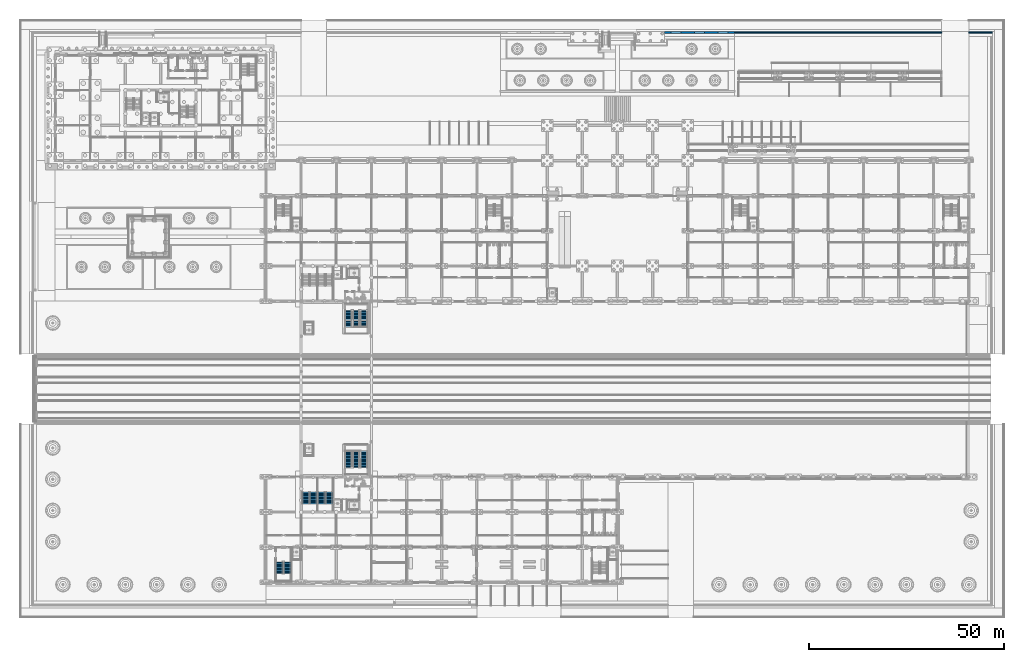
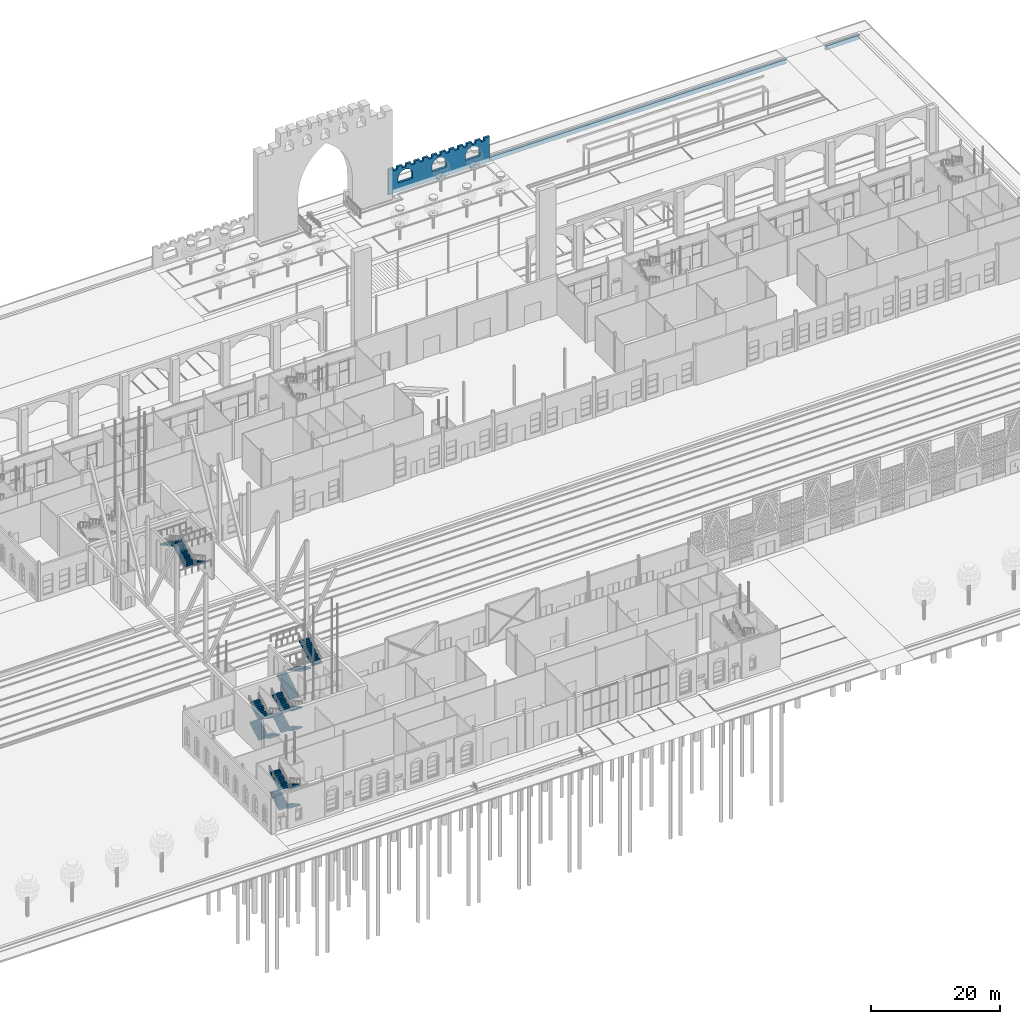
# One storey, part 139 of 250: 18 stair flights, 3 walls, 5 elements without a shape of their own.
"""IFC4 building model written with IfcOpenShell, lengths in metres."""

from ifc_helpers import new_model, si_unit, direction, frame, frame_2d, origin, place, context, subcontext, project, spatial, polyline, rectangle, outline, extrude, material, layer, layer_set, type_object, element, aggregate, save


model = new_model("IFC4")

# Units and contexts
model_context = context("Model", 3, precision=1e-05, world=origin(), true_north=direction((0.0, 1.0)))
body_context = subcontext(model_context, "Body", "Model", "MODEL_VIEW")
ifc_project = project(units=[si_unit("LENGTHUNIT", "METRE"), si_unit("AREAUNIT", "SQUARE_METRE"), si_unit("VOLUMEUNIT", "CUBIC_METRE"), si_unit("PLANEANGLEUNIT", "RADIAN"), si_unit("MASSUNIT", "GRAM", prefix="KILO")], contexts=[model_context])

# Site, building, storey
site_placement = place(None, origin())
site = spatial("IfcSite", under=ifc_project, at=site_placement, CompositionType="ELEMENT")
building_placement = place(site_placement, origin())
building = spatial("IfcBuilding", under=site, at=building_placement, Name="Baradari Gate Terminus", CompositionType="ELEMENT")
storey_placement = place(building_placement, origin())
storey = spatial("IfcBuildingStorey", under=building, at=storey_placement, Name="L00", CompositionType="ELEMENT", Elevation=0.0)

# Walls
ifc_material_1 = material(Name="Sandstone masonry", Category="masonry")
ifc_layer_1 = layer(ifc_material_1, 0.39990234375)
ifc_layer_set_1 = layer_set([ifc_layer_1], Name="Sandstone masonry")
wall_type_1 = type_object("IfcWallType", Name="Plinth retaining wall KW-1 400", PredefinedType="SOLIDWALL", material=ifc_layer_set_1)
wall_1_placement = place(storey_placement, frame((183.0, 149.800048828125, -0.800048828125), z_axis=(0.0, 0.0, 1.0), x_axis=(1.0, 0.0, 0.0)))
element("IfcWall", 1, at=wall_1_placement, inside=storey, type_object=wall_type_1, Name="Plinth retaining wall N4b", PredefinedType="SOLIDWALL", context=body_context, shape_type="SweptSolid", body=[
    extrude(rectangle(XDim=53.0, YDim=0.39990234375, at=frame_2d((26.5, 0.0))), origin(), (0.0, 0.0, 1.0), 0.800048828125),
])
wall_2_placement = place(storey_placement, frame((243.0, 149.800048828125, -0.800048828125), z_axis=(0.0, 0.0, 1.0), x_axis=(1.0, 0.0, 0.0)))
element("IfcWall", 2, at=wall_2_placement, inside=storey, type_object=wall_type_1, Name="Plinth retaining wall N5", PredefinedType="SOLIDWALL", context=body_context, shape_type="SweptSolid", body=[
    extrude(rectangle(XDim=6.0, YDim=0.39990234375, at=frame_2d((3.0, 0.0))), origin(), (0.0, 0.0, 1.0), 0.800048828125),
])
ifc_material_2 = material(Name="Concrete C40/50 precast", Category="concrete")
ifc_layer_2 = layer(ifc_material_2, 0.3)
ifc_material_3 = material(Name="Sandstone cladding", Category="masonry")
ifc_layer_3 = layer(ifc_material_3, 0.1)
ifc_layer_set_2 = layer_set([ifc_layer_2, ifc_layer_3], Name="Concrete C40/50 precast")
wall_type_2 = type_object("IfcWallType", Name="Sandstone-faced precast court screen WQ-3 400", PredefinedType="SOLIDWALL", material=ifc_layer_set_2)
wall_3_placement = place(storey_placement, frame((165.0, 149.800048828125, -0.800048828125), z_axis=(0.0, 0.0, 1.0), x_axis=(1.0, 0.0, 0.0)))
element("IfcWall", 3, at=wall_3_placement, inside=storey, type_object=wall_type_2, Name="Court screen wall 2 1", PredefinedType="SOLIDWALL", context=body_context, shape_type="SweptSolid", body=[
    extrude(outline(polyline([(17.10009765625, 4.800048828125), (17.10009765625, 4.300048828125), (16.445556640625, 4.300048828125), (16.445556640625, 4.800048828125), (15.54541015625, 4.800048828125), (15.54541015625, 4.300048828125), (14.890869140625, 4.300048828125), (14.890869140625, 4.800048828125), (13.990966796875, 4.800048828125), (13.990966796875, 4.300048828125), (13.33642578125, 4.300048828125), (13.33642578125, 4.800048828125), (12.436279296875, 4.800048828125), (12.436279296875, 4.300048828125), (11.78173828125, 4.300048828125), (11.78173828125, 4.800048828125), (10.8818359375, 4.800048828125), (10.8818359375, 4.300048828125), (10.227294921875, 4.300048828125), (10.227294921875, 4.800048828125), (9.327392578125, 4.800048828125), (9.327392578125, 4.300048828125), (8.672607421875, 4.300048828125), (8.672607421875, 4.800048828125), (7.772705078125, 4.800048828125), (7.772705078125, 4.300048828125), (7.1181640625, 4.300048828125), (7.1181640625, 4.800048828125), (6.21826171875, 4.800048828125), (6.21826171875, 4.300048828125), (5.563720703125, 4.300048828125), (5.563720703125, 4.800048828125), (4.66357421875, 4.800048828125), (4.66357421875, 4.300048828125), (4.009033203125, 4.300048828125), (4.009033203125, 4.800048828125), (3.109130859375, 4.800048828125), (3.109130859375, 4.300048828125), (2.45458984375, 4.300048828125), (2.45458984375, 4.800048828125), (1.554443359375, 4.800048828125), (1.554443359375, 4.300048828125), (0.89990234375, 4.300048828125), (0.89990234375, 4.800048828125), (0.0, 4.800048828125), (0.0, 0.0), (18.0, 0.0), (18.0, 4.800048828125), (17.10009765625, 4.800048828125)]), holes=[polyline([(1.743408203125, 2.8466796875), (1.797119140625, 3.01318359375), (1.87109375, 3.171630859375), (1.96435546875, 3.31982421875), (2.0751953125, 3.455322265625), (2.201904296875, 3.575927734375), (2.3427734375, 3.6796875), (2.49560546875, 3.76513671875), (2.65771484375, 3.8310546875), (2.82666015625, 3.876220703125), (3.0, 3.900146484375), (3.17333984375, 3.876220703125), (3.34228515625, 3.8310546875), (3.50439453125, 3.76513671875), (3.6572265625, 3.6796875), (3.798095703125, 3.575927734375), (3.9248046875, 3.455322265625), (4.03564453125, 3.31982421875), (4.12890625, 3.171630859375), (4.202880859375, 3.01318359375), (4.256591796875, 2.8466796875), (4.2890625, 2.674560546875), (4.300048828125, 2.5), (4.300048828125, 1.699951171875), (1.699951171875, 1.699951171875), (1.699951171875, 2.5), (1.7109375, 2.674560546875), (1.743408203125, 2.8466796875)]), polyline([(7.797119140625, 3.01318359375), (7.87109375, 3.171630859375), (7.96435546875, 3.31982421875), (8.0751953125, 3.455322265625), (8.201904296875, 3.575927734375), (8.3427734375, 3.6796875), (8.49560546875, 3.76513671875), (8.65771484375, 3.8310546875), (8.82666015625, 3.876220703125), (9.0, 3.900146484375), (9.17333984375, 3.876220703125), (9.34228515625, 3.8310546875), (9.50439453125, 3.76513671875), (9.6572265625, 3.6796875), (9.798095703125, 3.575927734375), (9.9248046875, 3.455322265625), (10.03564453125, 3.31982421875), (10.12890625, 3.171630859375), (10.202880859375, 3.01318359375), (10.256591796875, 2.8466796875), (10.2890625, 2.674560546875), (10.300048828125, 2.5), (10.300048828125, 1.699951171875), (7.699951171875, 1.699951171875), (7.699951171875, 2.5), (7.7109375, 2.674560546875), (7.743408203125, 2.8466796875), (7.797119140625, 3.01318359375)]), polyline([(13.743408203125, 2.8466796875), (13.797119140625, 3.01318359375), (13.87109375, 3.171630859375), (13.96435546875, 3.31982421875), (14.0751953125, 3.455322265625), (14.201904296875, 3.575927734375), (14.3427734375, 3.6796875), (14.49560546875, 3.76513671875), (14.65771484375, 3.8310546875), (14.82666015625, 3.876220703125), (15.0, 3.900146484375), (15.17333984375, 3.876220703125), (15.34228515625, 3.8310546875), (15.50439453125, 3.76513671875), (15.6572265625, 3.6796875), (15.798095703125, 3.575927734375), (15.9248046875, 3.455322265625), (16.03564453125, 3.31982421875), (16.12890625, 3.171630859375), (16.202880859375, 3.01318359375), (16.256591796875, 2.8466796875), (16.2890625, 2.674560546875), (16.300048828125, 2.5), (16.300048828125, 1.699951171875), (13.699951171875, 1.699951171875), (13.699951171875, 2.5), (13.7109375, 2.674560546875), (13.743408203125, 2.8466796875)])]), frame((0.0, 0.199951171875, 0.0), z_axis=(0.0, -1.0, 0.0), x_axis=(1.0, 0.0, 0.0)), (0.0, 0.0, 1.0), 0.39990234375),
])

# Stair, stair flights
ifc_material_4 = material(Name="Concrete C32/40", Category="concrete")
stair_type_1 = type_object("IfcStairType", Name="Platform stair PS-1 riser 167 x 1800", PredefinedType="DOUBLE_RETURN_STAIR", material=ifc_material_4)
stair_1_placement = place(storey_placement, origin())
stair_1 = element("IfcStair", 4, at=stair_1_placement, inside=storey, type_object=stair_type_1, Name="Stair PS-1 L00 to L01", PredefinedType="DOUBLE_RETURN_STAIR")
ifc_material_5 = material(Name="Concrete C32/40", Category="concrete")
stair_flight_type_1 = type_object("IfcStairFlightType", Name="Stair flight 167/300 x 1800", PredefinedType="STRAIGHT", material=ifc_material_5)
stair_flight_1_placement = place(storey_placement, frame((84.10009765625, 38.39990234375, 0.0), z_axis=(0.0, 0.0, 1.0), x_axis=(0.0, 1.0, 0.0)))
stair_flight_1 = element("IfcStairFlight", 5, at=stair_flight_1_placement, type_object=stair_flight_type_1, Name="PS-1 flight 1", NumberOfRisers=15, NumberOfTreads=14, PredefinedType="STRAIGHT", RiserHeight=0.166667, TreadLength=0.3, context=body_context, shape_type="SweptSolid", body=[
    extrude(outline(polyline([(0.0, 0.0), (0.0, 0.166748046875), (0.300048828125, 0.166748046875), (0.300048828125, 0.333251953125), (0.60009765625, 0.333251953125), (0.60009765625, 0.5), (0.89990234375, 0.5), (0.89990234375, 0.666748046875), (1.199951171875, 0.666748046875), (1.199951171875, 0.833251953125), (1.5, 0.833251953125), (1.5, 1.0), (1.800048828125, 1.0), (1.800048828125, 1.166748046875), (2.10009765625, 1.166748046875), (2.10009765625, 1.333251953125), (2.39990234375, 1.333251953125), (2.39990234375, 1.5), (2.699951171875, 1.5), (2.699951171875, 1.666748046875), (3.0, 1.666748046875), (3.0, 1.833251953125), (3.300048828125, 1.833251953125), (3.300048828125, 2.0), (3.60009765625, 2.0), (3.60009765625, 2.166748046875), (3.89990234375, 2.166748046875), (3.89990234375, 2.333251953125), (4.199951171875, 2.333251953125), (4.199951171875, 2.5), (4.199951171875, 2.161865234375), (0.30859375, 0.0), (0.0, 0.0)])), frame((0.0, 0.89990234375, 0.0), z_axis=(0.0, -1.0, 0.0), x_axis=(1.0, 0.0, 0.0)), (0.0, 0.0, 1.0), 1.800048828125),
])
stair_flight_2_placement = place(storey_placement, frame((86.10009765625, 42.60009765625, 2.5), z_axis=(0.0, 0.0, 1.0), x_axis=(0.0, -1.0, 0.0)))
stair_flight_2 = element("IfcStairFlight", 6, at=stair_flight_2_placement, type_object=stair_flight_type_1, Name="PS-1 flight 2", NumberOfRisers=15, NumberOfTreads=14, PredefinedType="STRAIGHT", RiserHeight=0.166667, TreadLength=0.3, context=body_context, shape_type="SweptSolid", body=[
    extrude(outline(polyline([(0.0, 0.0), (0.0, 0.166748046875), (0.300048828125, 0.166748046875), (0.300048828125, 0.333251953125), (0.60009765625, 0.333251953125), (0.60009765625, 0.5), (0.89990234375, 0.5), (0.89990234375, 0.666748046875), (1.199951171875, 0.666748046875), (1.199951171875, 0.833251953125), (1.5, 0.833251953125), (1.5, 1.0), (1.800048828125, 1.0), (1.800048828125, 1.166748046875), (2.10009765625, 1.166748046875), (2.10009765625, 1.333251953125), (2.39990234375, 1.333251953125), (2.39990234375, 1.5), (2.699951171875, 1.5), (2.699951171875, 1.666748046875), (3.0, 1.666748046875), (3.0, 1.833251953125), (3.300048828125, 1.833251953125), (3.300048828125, 2.0), (3.60009765625, 2.0), (3.60009765625, 2.166748046875), (3.89990234375, 2.166748046875), (3.89990234375, 2.333251953125), (4.199951171875, 2.333251953125), (4.199951171875, 2.5), (4.199951171875, 2.161865234375), (0.30859375, 0.0), (0.0, 0.0)])), frame((0.0, 0.89990234375, 0.0), z_axis=(0.0, -1.0, 0.0), x_axis=(1.0, 0.0, 0.0)), (0.0, 0.0, 1.0), 1.800048828125),
])
stair_flight_3_placement = place(storey_placement, frame((88.10009765625, 38.39990234375, 5.0), z_axis=(0.0, 0.0, 1.0), x_axis=(0.0, 1.0, 0.0)))
stair_flight_3 = element("IfcStairFlight", 7, at=stair_flight_3_placement, type_object=stair_flight_type_1, Name="PS-1 flight 3", NumberOfRisers=15, NumberOfTreads=14, PredefinedType="STRAIGHT", RiserHeight=0.166667, TreadLength=0.3, context=body_context, shape_type="SweptSolid", body=[
    extrude(outline(polyline([(0.0, 0.0), (0.0, 0.166748046875), (0.300048828125, 0.166748046875), (0.300048828125, 0.333251953125), (0.60009765625, 0.333251953125), (0.60009765625, 0.5), (0.89990234375, 0.5), (0.89990234375, 0.666748046875), (1.199951171875, 0.666748046875), (1.199951171875, 0.833251953125), (1.5, 0.833251953125), (1.5, 1.0), (1.800048828125, 1.0), (1.800048828125, 1.166748046875), (2.10009765625, 1.166748046875), (2.10009765625, 1.333251953125), (2.39990234375, 1.333251953125), (2.39990234375, 1.5), (2.699951171875, 1.5), (2.699951171875, 1.666748046875), (3.0, 1.666748046875), (3.0, 1.833251953125), (3.300048828125, 1.833251953125), (3.300048828125, 2.0), (3.60009765625, 2.0), (3.60009765625, 2.166748046875), (3.89990234375, 2.166748046875), (3.89990234375, 2.333251953125), (4.199951171875, 2.333251953125), (4.199951171875, 2.5), (4.199951171875, 2.161865234375), (0.30859375, 0.0), (0.0, 0.0)])), frame((0.0, 0.89990234375, 0.0), z_axis=(0.0, -1.0, 0.0), x_axis=(1.0, 0.0, 0.0)), (0.0, 0.0, 1.0), 1.800048828125),
])
aggregate(stair_1, [stair_flight_1, stair_flight_2, stair_flight_3])

ifc_material_6 = material(Name="Concrete C32/40", Category="concrete")
stair_type_2 = type_object("IfcStairType", Name="Platform stair PS-2 riser 167 x 1800", PredefinedType="DOUBLE_RETURN_STAIR", material=ifc_material_6)
stair_2_placement = place(storey_placement, origin())
stair_2 = element("IfcStair", 8, at=stair_2_placement, inside=storey, type_object=stair_type_2, Name="Stair PS-2 L00 to L01", PredefinedType="DOUBLE_RETURN_STAIR")
stair_flight_4_placement = place(storey_placement, frame((88.10009765625, 78.60009765625, 0.0), z_axis=(0.0, 0.0, 1.0), x_axis=(0.0, -1.0, 0.0)))
stair_flight_4 = element("IfcStairFlight", 9, at=stair_flight_4_placement, type_object=stair_flight_type_1, Name="PS-2 flight 1", NumberOfRisers=15, NumberOfTreads=14, PredefinedType="STRAIGHT", RiserHeight=0.166667, TreadLength=0.3, context=body_context, shape_type="SweptSolid", body=[
    extrude(outline(polyline([(0.0, 0.0), (0.0, 0.166748046875), (0.300048828125, 0.166748046875), (0.300048828125, 0.333251953125), (0.60009765625, 0.333251953125), (0.60009765625, 0.5), (0.89990234375, 0.5), (0.89990234375, 0.666748046875), (1.199951171875, 0.666748046875), (1.199951171875, 0.833251953125), (1.5, 0.833251953125), (1.5, 1.0), (1.800048828125, 1.0), (1.800048828125, 1.166748046875), (2.10009765625, 1.166748046875), (2.10009765625, 1.333251953125), (2.39990234375, 1.333251953125), (2.39990234375, 1.5), (2.699951171875, 1.5), (2.699951171875, 1.666748046875), (3.0, 1.666748046875), (3.0, 1.833251953125), (3.300048828125, 1.833251953125), (3.300048828125, 2.0), (3.60009765625, 2.0), (3.60009765625, 2.166748046875), (3.89990234375, 2.166748046875), (3.89990234375, 2.333251953125), (4.199951171875, 2.333251953125), (4.199951171875, 2.5), (4.199951171875, 2.161865234375), (0.30859375, 0.0), (0.0, 0.0)])), frame((0.0, 0.89990234375, 0.0), z_axis=(0.0, -1.0, 0.0), x_axis=(1.0, 0.0, 0.0)), (0.0, 0.0, 1.0), 1.800048828125),
])
stair_flight_5_placement = place(storey_placement, frame((86.10009765625, 74.39990234375, 2.5), z_axis=(0.0, 0.0, 1.0), x_axis=(0.0, 1.0, 0.0)))
stair_flight_5 = element("IfcStairFlight", 10, at=stair_flight_5_placement, type_object=stair_flight_type_1, Name="PS-2 flight 2", NumberOfRisers=15, NumberOfTreads=14, PredefinedType="STRAIGHT", RiserHeight=0.166667, TreadLength=0.3, context=body_context, shape_type="SweptSolid", body=[
    extrude(outline(polyline([(0.0, 0.0), (0.0, 0.166748046875), (0.300048828125, 0.166748046875), (0.300048828125, 0.333251953125), (0.60009765625, 0.333251953125), (0.60009765625, 0.5), (0.89990234375, 0.5), (0.89990234375, 0.666748046875), (1.199951171875, 0.666748046875), (1.199951171875, 0.833251953125), (1.5, 0.833251953125), (1.5, 1.0), (1.800048828125, 1.0), (1.800048828125, 1.166748046875), (2.10009765625, 1.166748046875), (2.10009765625, 1.333251953125), (2.39990234375, 1.333251953125), (2.39990234375, 1.5), (2.699951171875, 1.5), (2.699951171875, 1.666748046875), (3.0, 1.666748046875), (3.0, 1.833251953125), (3.300048828125, 1.833251953125), (3.300048828125, 2.0), (3.60009765625, 2.0), (3.60009765625, 2.166748046875), (3.89990234375, 2.166748046875), (3.89990234375, 2.333251953125), (4.199951171875, 2.333251953125), (4.199951171875, 2.5), (4.199951171875, 2.161865234375), (0.30859375, 0.0), (0.0, 0.0)])), frame((0.0, 0.89990234375, 0.0), z_axis=(0.0, -1.0, 0.0), x_axis=(1.0, 0.0, 0.0)), (0.0, 0.0, 1.0), 1.800048828125),
])
stair_flight_6_placement = place(storey_placement, frame((84.10009765625, 78.60009765625, 5.0), z_axis=(0.0, 0.0, 1.0), x_axis=(0.0, -1.0, 0.0)))
stair_flight_6 = element("IfcStairFlight", 11, at=stair_flight_6_placement, type_object=stair_flight_type_1, Name="PS-2 flight 3", NumberOfRisers=15, NumberOfTreads=14, PredefinedType="STRAIGHT", RiserHeight=0.166667, TreadLength=0.3, context=body_context, shape_type="SweptSolid", body=[
    extrude(outline(polyline([(0.0, 0.0), (0.0, 0.166748046875), (0.300048828125, 0.166748046875), (0.300048828125, 0.333251953125), (0.60009765625, 0.333251953125), (0.60009765625, 0.5), (0.89990234375, 0.5), (0.89990234375, 0.666748046875), (1.199951171875, 0.666748046875), (1.199951171875, 0.833251953125), (1.5, 0.833251953125), (1.5, 1.0), (1.800048828125, 1.0), (1.800048828125, 1.166748046875), (2.10009765625, 1.166748046875), (2.10009765625, 1.333251953125), (2.39990234375, 1.333251953125), (2.39990234375, 1.5), (2.699951171875, 1.5), (2.699951171875, 1.666748046875), (3.0, 1.666748046875), (3.0, 1.833251953125), (3.300048828125, 1.833251953125), (3.300048828125, 2.0), (3.60009765625, 2.0), (3.60009765625, 2.166748046875), (3.89990234375, 2.166748046875), (3.89990234375, 2.333251953125), (4.199951171875, 2.333251953125), (4.199951171875, 2.5), (4.199951171875, 2.161865234375), (0.30859375, 0.0), (0.0, 0.0)])), frame((0.0, 0.89990234375, 0.0), z_axis=(0.0, -1.0, 0.0), x_axis=(1.0, 0.0, 0.0)), (0.0, 0.0, 1.0), 1.800048828125),
])
aggregate(stair_2, [stair_flight_4, stair_flight_5, stair_flight_6])

ifc_material_7 = material(Name="Concrete C32/40", Category="concrete")
stair_type_3 = type_object("IfcStairType", Name="Exit stair ST-GS1 riser 170 x 1800", PredefinedType="DOUBLE_RETURN_STAIR", material=ifc_material_7)
stair_3_placement = place(storey_placement, origin())
stair_3 = element("IfcStair", 12, at=stair_3_placement, inside=storey, type_object=stair_type_3, Name="Stair ST-GS1 L00 to L01", PredefinedType="DOUBLE_RETURN_STAIR")
ifc_material_8 = material(Name="Concrete C32/40", Category="concrete")
stair_flight_type_2 = type_object("IfcStairFlightType", Name="Stair flight 170/300 x 1800", PredefinedType="STRAIGHT", material=ifc_material_8)
stair_flight_7_placement = place(storey_placement, frame((75.199951171875, 32.10009765625, 0.0), z_axis=(0.0, 0.0, 1.0), x_axis=(0.0, -1.0, 0.0)))
stair_flight_7 = element("IfcStairFlight", 13, at=stair_flight_7_placement, type_object=stair_flight_type_2, Name="ST-GS1 flight 1", NumberOfRisers=11, NumberOfTreads=10, PredefinedType="STRAIGHT", RiserHeight=0.170455, TreadLength=0.3, context=body_context, shape_type="SweptSolid", body=[
    extrude(outline(polyline([(0.0, 0.0), (0.0, 0.17041015625), (0.300048828125, 0.17041015625), (0.300048828125, 0.3408203125), (0.60009765625, 0.3408203125), (0.60009765625, 0.511474609375), (0.89990234375, 0.511474609375), (0.89990234375, 0.681884765625), (1.199951171875, 0.681884765625), (1.199951171875, 0.852294921875), (1.5, 0.852294921875), (1.5, 1.022705078125), (1.800048828125, 1.022705078125), (1.800048828125, 1.193115234375), (2.10009765625, 1.193115234375), (2.10009765625, 1.363525390625), (2.39990234375, 1.363525390625), (2.39990234375, 1.5341796875), (2.699951171875, 1.5341796875), (2.699951171875, 1.70458984375), (3.0, 1.70458984375), (3.0, 1.875), (3.0, 1.5322265625), (0.303466796875, 0.0), (0.0, 0.0)])), frame((0.0, 0.89990234375, 0.0), z_axis=(0.0, -1.0, 0.0), x_axis=(1.0, 0.0, 0.0)), (0.0, 0.0, 1.0), 1.800048828125),
])
stair_flight_8_placement = place(storey_placement, frame((73.199951171875, 29.10009765625, 1.875), z_axis=(0.0, 0.0, 1.0), x_axis=(0.0, 1.0, 0.0)))
stair_flight_8 = element("IfcStairFlight", 14, at=stair_flight_8_placement, type_object=stair_flight_type_2, Name="ST-GS1 flight 2", NumberOfRisers=11, NumberOfTreads=10, PredefinedType="STRAIGHT", RiserHeight=0.170455, TreadLength=0.3, context=body_context, shape_type="SweptSolid", body=[
    extrude(outline(polyline([(0.0, 0.0), (0.0, 0.17041015625), (0.300048828125, 0.17041015625), (0.300048828125, 0.3408203125), (0.60009765625, 0.3408203125), (0.60009765625, 0.511474609375), (0.89990234375, 0.511474609375), (0.89990234375, 0.681884765625), (1.199951171875, 0.681884765625), (1.199951171875, 0.852294921875), (1.5, 0.852294921875), (1.5, 1.022705078125), (1.800048828125, 1.022705078125), (1.800048828125, 1.193115234375), (2.10009765625, 1.193115234375), (2.10009765625, 1.363525390625), (2.39990234375, 1.363525390625), (2.39990234375, 1.5341796875), (2.699951171875, 1.5341796875), (2.699951171875, 1.70458984375), (3.0, 1.70458984375), (3.0, 1.875), (3.0, 1.5322265625), (0.303466796875, 0.0), (0.0, 0.0)])), frame((0.0, 0.89990234375, 0.0), z_axis=(0.0, -1.0, 0.0), x_axis=(1.0, 0.0, 0.0)), (0.0, 0.0, 1.0), 1.800048828125),
])
stair_flight_9_placement = place(storey_placement, frame((75.199951171875, 32.10009765625, 3.75), z_axis=(0.0, 0.0, 1.0), x_axis=(0.0, -1.0, 0.0)))
stair_flight_9 = element("IfcStairFlight", 15, at=stair_flight_9_placement, type_object=stair_flight_type_2, Name="ST-GS1 flight 3", NumberOfRisers=11, NumberOfTreads=10, PredefinedType="STRAIGHT", RiserHeight=0.170455, TreadLength=0.3, context=body_context, shape_type="SweptSolid", body=[
    extrude(outline(polyline([(0.0, 0.0), (0.0, 0.17041015625), (0.300048828125, 0.17041015625), (0.300048828125, 0.3408203125), (0.60009765625, 0.3408203125), (0.60009765625, 0.511474609375), (0.89990234375, 0.511474609375), (0.89990234375, 0.681884765625), (1.199951171875, 0.681884765625), (1.199951171875, 0.852294921875), (1.5, 0.852294921875), (1.5, 1.022705078125), (1.800048828125, 1.022705078125), (1.800048828125, 1.193115234375), (2.10009765625, 1.193115234375), (2.10009765625, 1.363525390625), (2.39990234375, 1.363525390625), (2.39990234375, 1.5341796875), (2.699951171875, 1.5341796875), (2.699951171875, 1.70458984375), (3.0, 1.70458984375), (3.0, 1.875), (3.0, 1.5322265625), (0.303466796875, 0.0), (0.0, 0.0)])), frame((0.0, 0.89990234375, 0.0), z_axis=(0.0, -1.0, 0.0), x_axis=(1.0, 0.0, 0.0)), (0.0, 0.0, 1.0), 1.800048828125),
])
stair_flight_10_placement = place(storey_placement, frame((73.199951171875, 29.10009765625, 5.625), z_axis=(0.0, 0.0, 1.0), x_axis=(0.0, 1.0, 0.0)))
stair_flight_10 = element("IfcStairFlight", 16, at=stair_flight_10_placement, type_object=stair_flight_type_2, Name="ST-GS1 flight 4", NumberOfRisers=11, NumberOfTreads=10, PredefinedType="STRAIGHT", RiserHeight=0.170455, TreadLength=0.3, context=body_context, shape_type="SweptSolid", body=[
    extrude(outline(polyline([(0.0, 0.0), (0.0, 0.17041015625), (0.300048828125, 0.17041015625), (0.300048828125, 0.3408203125), (0.60009765625, 0.3408203125), (0.60009765625, 0.511474609375), (0.89990234375, 0.511474609375), (0.89990234375, 0.681884765625), (1.199951171875, 0.681884765625), (1.199951171875, 0.852294921875), (1.5, 0.852294921875), (1.5, 1.022705078125), (1.800048828125, 1.022705078125), (1.800048828125, 1.193115234375), (2.10009765625, 1.193115234375), (2.10009765625, 1.363525390625), (2.39990234375, 1.363525390625), (2.39990234375, 1.5341796875), (2.699951171875, 1.5341796875), (2.699951171875, 1.70458984375), (3.0, 1.70458984375), (3.0, 1.875), (3.0, 1.5322265625), (0.303466796875, 0.0), (0.0, 0.0)])), frame((0.0, 0.89990234375, 0.0), z_axis=(0.0, -1.0, 0.0), x_axis=(1.0, 0.0, 0.0)), (0.0, 0.0, 1.0), 1.800048828125),
])
aggregate(stair_3, [stair_flight_7, stair_flight_8, stair_flight_9, stair_flight_10])

ifc_material_9 = material(Name="Concrete C32/40", Category="concrete")
stair_type_4 = type_object("IfcStairType", Name="Exit stair ST-GS2 riser 170 x 1800", PredefinedType="DOUBLE_RETURN_STAIR", material=ifc_material_9)
stair_4_placement = place(storey_placement, origin())
stair_4 = element("IfcStair", 17, at=stair_4_placement, inside=storey, type_object=stair_type_4, Name="Stair ST-GS2 L00 to L01", PredefinedType="DOUBLE_RETURN_STAIR")
stair_flight_11_placement = place(storey_placement, frame((79.199951171875, 32.10009765625, 0.0), z_axis=(0.0, 0.0, 1.0), x_axis=(0.0, -1.0, 0.0)))
stair_flight_11 = element("IfcStairFlight", 18, at=stair_flight_11_placement, type_object=stair_flight_type_2, Name="ST-GS2 flight 1", NumberOfRisers=11, NumberOfTreads=10, PredefinedType="STRAIGHT", RiserHeight=0.170455, TreadLength=0.3, context=body_context, shape_type="SweptSolid", body=[
    extrude(outline(polyline([(0.0, 0.0), (0.0, 0.17041015625), (0.300048828125, 0.17041015625), (0.300048828125, 0.3408203125), (0.60009765625, 0.3408203125), (0.60009765625, 0.511474609375), (0.89990234375, 0.511474609375), (0.89990234375, 0.681884765625), (1.199951171875, 0.681884765625), (1.199951171875, 0.852294921875), (1.5, 0.852294921875), (1.5, 1.022705078125), (1.800048828125, 1.022705078125), (1.800048828125, 1.193115234375), (2.10009765625, 1.193115234375), (2.10009765625, 1.363525390625), (2.39990234375, 1.363525390625), (2.39990234375, 1.5341796875), (2.699951171875, 1.5341796875), (2.699951171875, 1.70458984375), (3.0, 1.70458984375), (3.0, 1.875), (3.0, 1.5322265625), (0.303466796875, 0.0), (0.0, 0.0)])), frame((0.0, 0.89990234375, 0.0), z_axis=(0.0, -1.0, 0.0), x_axis=(1.0, 0.0, 0.0)), (0.0, 0.0, 1.0), 1.800048828125),
])
stair_flight_12_placement = place(storey_placement, frame((77.199951171875, 29.10009765625, 1.875), z_axis=(0.0, 0.0, 1.0), x_axis=(0.0, 1.0, 0.0)))
stair_flight_12 = element("IfcStairFlight", 19, at=stair_flight_12_placement, type_object=stair_flight_type_2, Name="ST-GS2 flight 2", NumberOfRisers=11, NumberOfTreads=10, PredefinedType="STRAIGHT", RiserHeight=0.170455, TreadLength=0.3, context=body_context, shape_type="SweptSolid", body=[
    extrude(outline(polyline([(0.0, 0.0), (0.0, 0.17041015625), (0.300048828125, 0.17041015625), (0.300048828125, 0.3408203125), (0.60009765625, 0.3408203125), (0.60009765625, 0.511474609375), (0.89990234375, 0.511474609375), (0.89990234375, 0.681884765625), (1.199951171875, 0.681884765625), (1.199951171875, 0.852294921875), (1.5, 0.852294921875), (1.5, 1.022705078125), (1.800048828125, 1.022705078125), (1.800048828125, 1.193115234375), (2.10009765625, 1.193115234375), (2.10009765625, 1.363525390625), (2.39990234375, 1.363525390625), (2.39990234375, 1.5341796875), (2.699951171875, 1.5341796875), (2.699951171875, 1.70458984375), (3.0, 1.70458984375), (3.0, 1.875), (3.0, 1.5322265625), (0.303466796875, 0.0), (0.0, 0.0)])), frame((0.0, 0.89990234375, 0.0), z_axis=(0.0, -1.0, 0.0), x_axis=(1.0, 0.0, 0.0)), (0.0, 0.0, 1.0), 1.800048828125),
])
stair_flight_13_placement = place(storey_placement, frame((79.199951171875, 32.10009765625, 3.75), z_axis=(0.0, 0.0, 1.0), x_axis=(0.0, -1.0, 0.0)))
stair_flight_13 = element("IfcStairFlight", 20, at=stair_flight_13_placement, type_object=stair_flight_type_2, Name="ST-GS2 flight 3", NumberOfRisers=11, NumberOfTreads=10, PredefinedType="STRAIGHT", RiserHeight=0.170455, TreadLength=0.3, context=body_context, shape_type="SweptSolid", body=[
    extrude(outline(polyline([(0.0, 0.0), (0.0, 0.17041015625), (0.300048828125, 0.17041015625), (0.300048828125, 0.3408203125), (0.60009765625, 0.3408203125), (0.60009765625, 0.511474609375), (0.89990234375, 0.511474609375), (0.89990234375, 0.681884765625), (1.199951171875, 0.681884765625), (1.199951171875, 0.852294921875), (1.5, 0.852294921875), (1.5, 1.022705078125), (1.800048828125, 1.022705078125), (1.800048828125, 1.193115234375), (2.10009765625, 1.193115234375), (2.10009765625, 1.363525390625), (2.39990234375, 1.363525390625), (2.39990234375, 1.5341796875), (2.699951171875, 1.5341796875), (2.699951171875, 1.70458984375), (3.0, 1.70458984375), (3.0, 1.875), (3.0, 1.5322265625), (0.303466796875, 0.0), (0.0, 0.0)])), frame((0.0, 0.89990234375, 0.0), z_axis=(0.0, -1.0, 0.0), x_axis=(1.0, 0.0, 0.0)), (0.0, 0.0, 1.0), 1.800048828125),
])
stair_flight_14_placement = place(storey_placement, frame((77.199951171875, 29.10009765625, 5.625), z_axis=(0.0, 0.0, 1.0), x_axis=(0.0, 1.0, 0.0)))
stair_flight_14 = element("IfcStairFlight", 21, at=stair_flight_14_placement, type_object=stair_flight_type_2, Name="ST-GS2 flight 4", NumberOfRisers=11, NumberOfTreads=10, PredefinedType="STRAIGHT", RiserHeight=0.170455, TreadLength=0.3, context=body_context, shape_type="SweptSolid", body=[
    extrude(outline(polyline([(0.0, 0.0), (0.0, 0.17041015625), (0.300048828125, 0.17041015625), (0.300048828125, 0.3408203125), (0.60009765625, 0.3408203125), (0.60009765625, 0.511474609375), (0.89990234375, 0.511474609375), (0.89990234375, 0.681884765625), (1.199951171875, 0.681884765625), (1.199951171875, 0.852294921875), (1.5, 0.852294921875), (1.5, 1.022705078125), (1.800048828125, 1.022705078125), (1.800048828125, 1.193115234375), (2.10009765625, 1.193115234375), (2.10009765625, 1.363525390625), (2.39990234375, 1.363525390625), (2.39990234375, 1.5341796875), (2.699951171875, 1.5341796875), (2.699951171875, 1.70458984375), (3.0, 1.70458984375), (3.0, 1.875), (3.0, 1.5322265625), (0.303466796875, 0.0), (0.0, 0.0)])), frame((0.0, 0.89990234375, 0.0), z_axis=(0.0, -1.0, 0.0), x_axis=(1.0, 0.0, 0.0)), (0.0, 0.0, 1.0), 1.800048828125),
])
aggregate(stair_4, [stair_flight_11, stair_flight_12, stair_flight_13, stair_flight_14])

ifc_material_10 = material(Name="Concrete C32/40", Category="concrete")
stair_type_5 = type_object("IfcStairType", Name="Exit stair ST-SW1 riser 170 x 1800", PredefinedType="DOUBLE_RETURN_STAIR", material=ifc_material_10)
stair_5_placement = place(storey_placement, origin())
stair_5 = element("IfcStair", 22, at=stair_5_placement, inside=storey, type_object=stair_type_5, Name="Stair ST-SW1 L00 to L01", PredefinedType="DOUBLE_RETURN_STAIR")
stair_flight_15_placement = place(storey_placement, frame((68.5, 14.199951171875, 0.0), z_axis=(0.0, 0.0, 1.0), x_axis=(0.0, -1.0, 0.0)))
stair_flight_15 = element("IfcStairFlight", 23, at=stair_flight_15_placement, type_object=stair_flight_type_2, Name="ST-SW1 flight 1", NumberOfRisers=11, NumberOfTreads=10, PredefinedType="STRAIGHT", RiserHeight=0.170455, TreadLength=0.3, context=body_context, shape_type="SweptSolid", body=[
    extrude(outline(polyline([(0.0, 0.0), (0.0, 0.17041015625), (0.300048828125, 0.17041015625), (0.300048828125, 0.3408203125), (0.60009765625, 0.3408203125), (0.60009765625, 0.511474609375), (0.89990234375, 0.511474609375), (0.89990234375, 0.681884765625), (1.199951171875, 0.681884765625), (1.199951171875, 0.852294921875), (1.5, 0.852294921875), (1.5, 1.022705078125), (1.800048828125, 1.022705078125), (1.800048828125, 1.193115234375), (2.10009765625, 1.193115234375), (2.10009765625, 1.363525390625), (2.39990234375, 1.363525390625), (2.39990234375, 1.5341796875), (2.699951171875, 1.5341796875), (2.699951171875, 1.70458984375), (3.0, 1.70458984375), (3.0, 1.875), (3.0, 1.5322265625), (0.303466796875, 0.0), (0.0, 0.0)])), frame((0.0, 0.89990234375, 0.0), z_axis=(0.0, -1.0, 0.0), x_axis=(1.0, 0.0, 0.0)), (0.0, 0.0, 1.0), 1.800048828125),
])
stair_flight_16_placement = place(storey_placement, frame((66.5, 11.199951171875, 1.875), z_axis=(0.0, 0.0, 1.0), x_axis=(0.0, 1.0, 0.0)))
stair_flight_16 = element("IfcStairFlight", 24, at=stair_flight_16_placement, type_object=stair_flight_type_2, Name="ST-SW1 flight 2", NumberOfRisers=11, NumberOfTreads=10, PredefinedType="STRAIGHT", RiserHeight=0.170455, TreadLength=0.3, context=body_context, shape_type="SweptSolid", body=[
    extrude(outline(polyline([(0.0, 0.0), (0.0, 0.17041015625), (0.300048828125, 0.17041015625), (0.300048828125, 0.3408203125), (0.60009765625, 0.3408203125), (0.60009765625, 0.511474609375), (0.89990234375, 0.511474609375), (0.89990234375, 0.681884765625), (1.199951171875, 0.681884765625), (1.199951171875, 0.852294921875), (1.5, 0.852294921875), (1.5, 1.022705078125), (1.800048828125, 1.022705078125), (1.800048828125, 1.193115234375), (2.10009765625, 1.193115234375), (2.10009765625, 1.363525390625), (2.39990234375, 1.363525390625), (2.39990234375, 1.5341796875), (2.699951171875, 1.5341796875), (2.699951171875, 1.70458984375), (3.0, 1.70458984375), (3.0, 1.875), (3.0, 1.5322265625), (0.303466796875, 0.0), (0.0, 0.0)])), frame((0.0, 0.89990234375, 0.0), z_axis=(0.0, -1.0, 0.0), x_axis=(1.0, 0.0, 0.0)), (0.0, 0.0, 1.0), 1.800048828125),
])
stair_flight_17_placement = place(storey_placement, frame((68.5, 14.199951171875, 3.75), z_axis=(0.0, 0.0, 1.0), x_axis=(0.0, -1.0, 0.0)))
stair_flight_17 = element("IfcStairFlight", 25, at=stair_flight_17_placement, type_object=stair_flight_type_2, Name="ST-SW1 flight 3", NumberOfRisers=11, NumberOfTreads=10, PredefinedType="STRAIGHT", RiserHeight=0.170455, TreadLength=0.3, context=body_context, shape_type="SweptSolid", body=[
    extrude(outline(polyline([(0.0, 0.0), (0.0, 0.17041015625), (0.300048828125, 0.17041015625), (0.300048828125, 0.3408203125), (0.60009765625, 0.3408203125), (0.60009765625, 0.511474609375), (0.89990234375, 0.511474609375), (0.89990234375, 0.681884765625), (1.199951171875, 0.681884765625), (1.199951171875, 0.852294921875), (1.5, 0.852294921875), (1.5, 1.022705078125), (1.800048828125, 1.022705078125), (1.800048828125, 1.193115234375), (2.10009765625, 1.193115234375), (2.10009765625, 1.363525390625), (2.39990234375, 1.363525390625), (2.39990234375, 1.5341796875), (2.699951171875, 1.5341796875), (2.699951171875, 1.70458984375), (3.0, 1.70458984375), (3.0, 1.875), (3.0, 1.5322265625), (0.303466796875, 0.0), (0.0, 0.0)])), frame((0.0, 0.89990234375, 0.0), z_axis=(0.0, -1.0, 0.0), x_axis=(1.0, 0.0, 0.0)), (0.0, 0.0, 1.0), 1.800048828125),
])
stair_flight_18_placement = place(storey_placement, frame((66.5, 11.199951171875, 5.625), z_axis=(0.0, 0.0, 1.0), x_axis=(0.0, 1.0, 0.0)))
stair_flight_18 = element("IfcStairFlight", 26, at=stair_flight_18_placement, type_object=stair_flight_type_2, Name="ST-SW1 flight 4", NumberOfRisers=11, NumberOfTreads=10, PredefinedType="STRAIGHT", RiserHeight=0.170455, TreadLength=0.3, context=body_context, shape_type="SweptSolid", body=[
    extrude(outline(polyline([(0.0, 0.0), (0.0, 0.17041015625), (0.300048828125, 0.17041015625), (0.300048828125, 0.3408203125), (0.60009765625, 0.3408203125), (0.60009765625, 0.511474609375), (0.89990234375, 0.511474609375), (0.89990234375, 0.681884765625), (1.199951171875, 0.681884765625), (1.199951171875, 0.852294921875), (1.5, 0.852294921875), (1.5, 1.022705078125), (1.800048828125, 1.022705078125), (1.800048828125, 1.193115234375), (2.10009765625, 1.193115234375), (2.10009765625, 1.363525390625), (2.39990234375, 1.363525390625), (2.39990234375, 1.5341796875), (2.699951171875, 1.5341796875), (2.699951171875, 1.70458984375), (3.0, 1.70458984375), (3.0, 1.875), (3.0, 1.5322265625), (0.303466796875, 0.0), (0.0, 0.0)])), frame((0.0, 0.89990234375, 0.0), z_axis=(0.0, -1.0, 0.0), x_axis=(1.0, 0.0, 0.0)), (0.0, 0.0, 1.0), 1.800048828125),
])
aggregate(stair_5, [stair_flight_15, stair_flight_16, stair_flight_17, stair_flight_18])

save(model, "model.ifc")
